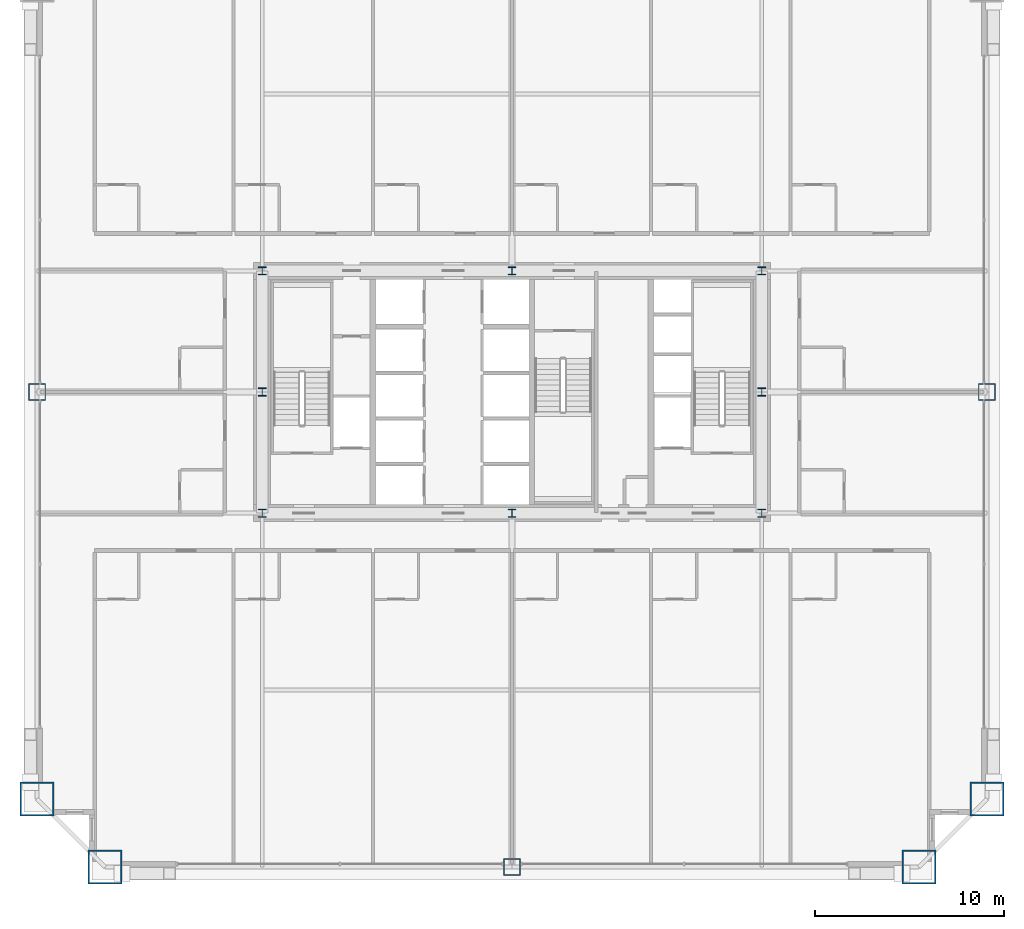
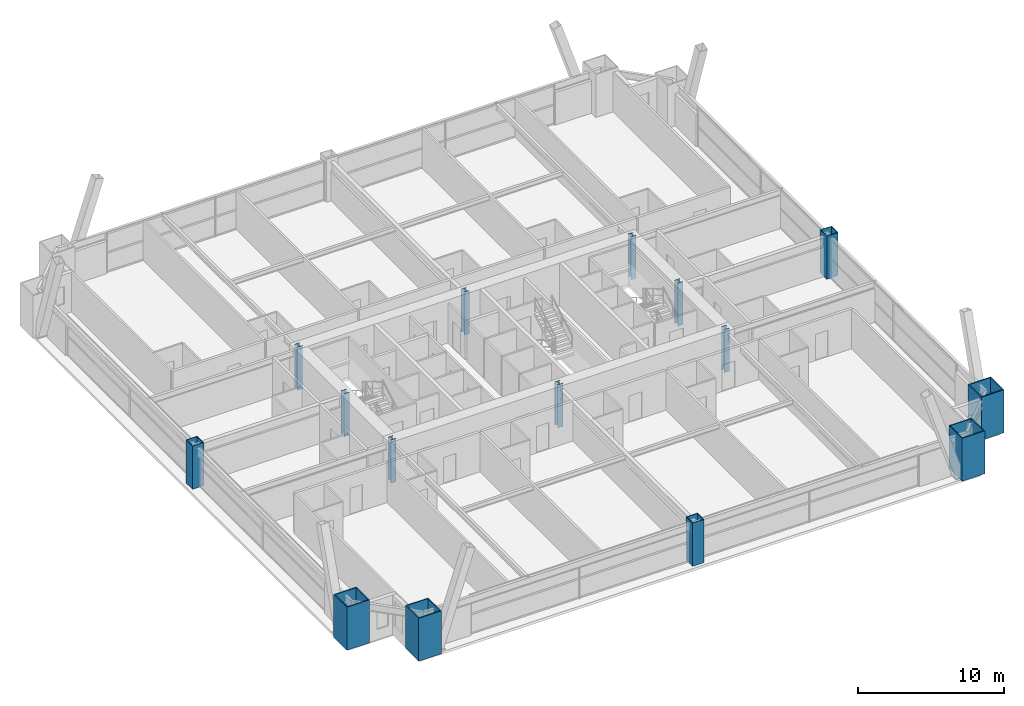
# One storey, part 1 of 43: 15 columns.
"""IFC4 building model written with IfcOpenShell, lengths in metres."""

from ifc_helpers import new_model, si_unit, direction, frame, origin, origin_2d, place, context, subcontext, project, spatial, hollow_rectangle, i_section, extrude, source, transform, mapped, material, material_profile, profile_set, type_object, element, save


model = new_model("IFC4")

# Units and contexts
model_context = context("Model", 3, precision=1e-05, world=origin(), true_north=direction((0.0, 1.0)))
body_context = subcontext(model_context, "Body", "Model", "MODEL_VIEW")
ifc_project = project(units=[si_unit("LENGTHUNIT", "METRE"), si_unit("AREAUNIT", "SQUARE_METRE"), si_unit("VOLUMEUNIT", "CUBIC_METRE"), si_unit("PLANEANGLEUNIT", "RADIAN"), si_unit("MASSUNIT", "GRAM", prefix="KILO"), si_unit("THERMODYNAMICTEMPERATUREUNIT", "KELVIN"), si_unit("POWERUNIT", "WATT")], contexts=[model_context])

# Site, building, storey
site_placement = place(None, origin())
site = spatial("IfcSite", under=ifc_project, at=site_placement, CompositionType="ELEMENT")
building_placement = place(site_placement, origin())
building = spatial("IfcBuilding", under=site, at=building_placement, Name="Yuzanri Waterfront Tower", CompositionType="ELEMENT")
storey_placement = place(building_placement, frame((0.0, 0.0, 37.800048828125)))
storey = spatial("IfcBuildingStorey", under=building, at=storey_placement, Name="L09", CompositionType="ELEMENT", Elevation=37.800048828125)

# Columns
ifc_material_1 = material(Name="Steel Q355B", Category="steel")
ifc_material_profile_1 = material_profile(ifc_material_1, i_section(OverallWidth=0.406982421875, OverallDepth=0.427978515625, WebThickness=0.02001953125, FlangeThickness=0.034912109375, at=origin_2d()), Name="HW 428x407x20x35")
ifc_profile_set_1 = profile_set([ifc_material_profile_1], Name="Steel Q355B")
column_type_1 = type_object("IfcColumnType", Name="Core Post Q355B HW 428x407x20x35", PredefinedType="COLUMN", material=ifc_profile_set_1)
shared_shape_1 = source(origin(), body_context, "Body", "SweptSolid", [
    extrude(i_section(OverallWidth=0.406982421875, OverallDepth=0.427978515625, WebThickness=0.02001953125, FlangeThickness=0.034912109375, at=origin_2d()), origin(), (0.0, 0.0, 1.0), 3.599853515625),
])
for number, where, z_axis, x_axis, name in (
    (1, (23.800048828125, 19.39990234375, 0.0), (0.0, 0.0, 1.0), (1.0, 0.0, 0.0), "L09 Core Boundary Column CP1"),
    (2, (37.0, 19.39990234375, 0.0), (0.0, 0.0, 1.0), (1.0, 0.0, 0.0), "L09 Core Boundary Column CP2"),
    (3, (50.199951171875, 19.39990234375, 0.0), (0.0, 0.0, 1.0), (1.0, 0.0, 0.0), "L09 Core Boundary Column CP3"),
    (4, (23.800048828125, 25.800048828125, 0.0), (0.0, 0.0, 1.0), (1.0, 0.0, 0.0), "L09 Core Boundary Column CP4"),
    (5, (50.199951171875, 25.800048828125, 0.0), (0.0, 0.0, 1.0), (1.0, 0.0, 0.0), "L09 Core Boundary Column CP5"),
    (6, (23.800048828125, 32.199951171875, 0.0), (0.0, 0.0, 1.0), (1.0, 0.0, 0.0), "L09 Core Boundary Column CP6"),
    (7, (37.0, 32.199951171875, 0.0), (0.0, 0.0, 1.0), (1.0, 0.0, 0.0), "L09 Core Boundary Column CP7"),
    (8, (50.199951171875, 32.199951171875, 0.0), (0.0, 0.0, 1.0), (1.0, 0.0, 0.0), "L09 Core Boundary Column CP8"),
):
    element("IfcColumn", number, at=place(storey_placement, frame(where, z_axis=z_axis, x_axis=x_axis)), inside=storey, type_object=column_type_1, Name=name, PredefinedType="COLUMN", context=body_context, shape_type="MappedRepresentation", body=[
        mapped(shared_shape_1, transform((0.0, 0.0, 0.0), scale=1.0)),
    ])
ifc_material_2 = material(Name="Steel Q420GJC", Category="steel")
ifc_material_profile_2 = material_profile(ifc_material_2, hollow_rectangle(XDim=1.800048828125, YDim=1.800048828125, WallThickness=0.080078125, at=origin_2d()), Name="RHS 1800x1800x80")
ifc_profile_set_2 = profile_set([ifc_material_profile_2], Name="Steel Q420GJC")
column_type_2 = type_object("IfcColumnType", Name="Mega Column Q420GJC RHS 1800x1800x80", PredefinedType="COLUMN", material=ifc_profile_set_2)
shared_shape_2 = source(origin(), body_context, "Body", "SweptSolid", [
    extrude(hollow_rectangle(XDim=1.800048828125, YDim=1.800048828125, WallThickness=0.080078125, at=origin_2d()), origin(), (0.0, 0.0, 1.0), 3.599853515625),
])
for number, where, z_axis, x_axis, name in (
    (9, (15.5, 0.699951171875, 0.0), (0.0, 0.0, 1.0), (1.0, 0.0, 0.0), "L09 Perimeter Mega Column S1"),
    (10, (58.5, 0.699951171875, 0.0), (0.0, 0.0, 1.0), (1.0, 0.0, 0.0), "L09 Perimeter Mega Column S3"),
    (11, (11.89990234375, 4.300048828125, 0.0), (0.0, 0.0, 1.0), (1.0, 0.0, 0.0), "L09 Perimeter Mega Column W1"),
    (12, (62.10009765625, 4.300048828125, 0.0), (0.0, 0.0, 1.0), (1.0, 0.0, 0.0), "L09 Perimeter Mega Column E1"),
):
    element("IfcColumn", number, at=place(storey_placement, frame(where, z_axis=z_axis, x_axis=x_axis)), inside=storey, type_object=column_type_2, Name=name, PredefinedType="COLUMN", context=body_context, shape_type="MappedRepresentation", body=[
        mapped(shared_shape_2, transform((0.0, 0.0, 0.0), scale=1.0)),
    ])
ifc_material_3 = material(Name="Steel Q390GJC", Category="steel")
ifc_material_profile_3 = material_profile(ifc_material_3, hollow_rectangle(XDim=0.89990234375, YDim=0.89990234375, WallThickness=0.0419921875, at=origin_2d()), Name="RHS 900x900x42")
ifc_profile_set_3 = profile_set([ifc_material_profile_3], Name="Steel Q390GJC")
column_type_3 = type_object("IfcColumnType", Name="Frame Column Q390GJC RHS 900x900x42", PredefinedType="COLUMN", material=ifc_profile_set_3)
shared_shape_3 = source(origin(), body_context, "Body", "SweptSolid", [
    extrude(hollow_rectangle(XDim=0.89990234375, YDim=0.89990234375, WallThickness=0.0419921875, at=origin_2d()), origin(), (0.0, 0.0, 1.0), 3.599853515625),
])
for number, where, z_axis, x_axis, name in (
    (13, (37.0, 0.699951171875, 0.0), (0.0, 0.0, 1.0), (1.0, 0.0, 0.0), "L09 Perimeter Frame Column S2"),
    (14, (11.89990234375, 25.800048828125, 0.0), (0.0, 0.0, 1.0), (1.0, 0.0, 0.0), "L09 Perimeter Frame Column W2"),
    (15, (62.10009765625, 25.800048828125, 0.0), (0.0, 0.0, 1.0), (1.0, 0.0, 0.0), "L09 Perimeter Frame Column E2"),
):
    element("IfcColumn", number, at=place(storey_placement, frame(where, z_axis=z_axis, x_axis=x_axis)), inside=storey, type_object=column_type_3, Name=name, PredefinedType="COLUMN", context=body_context, shape_type="MappedRepresentation", body=[
        mapped(shared_shape_3, transform((0.0, 0.0, 0.0), scale=1.0)),
    ])

save(model, "model.ifc")
